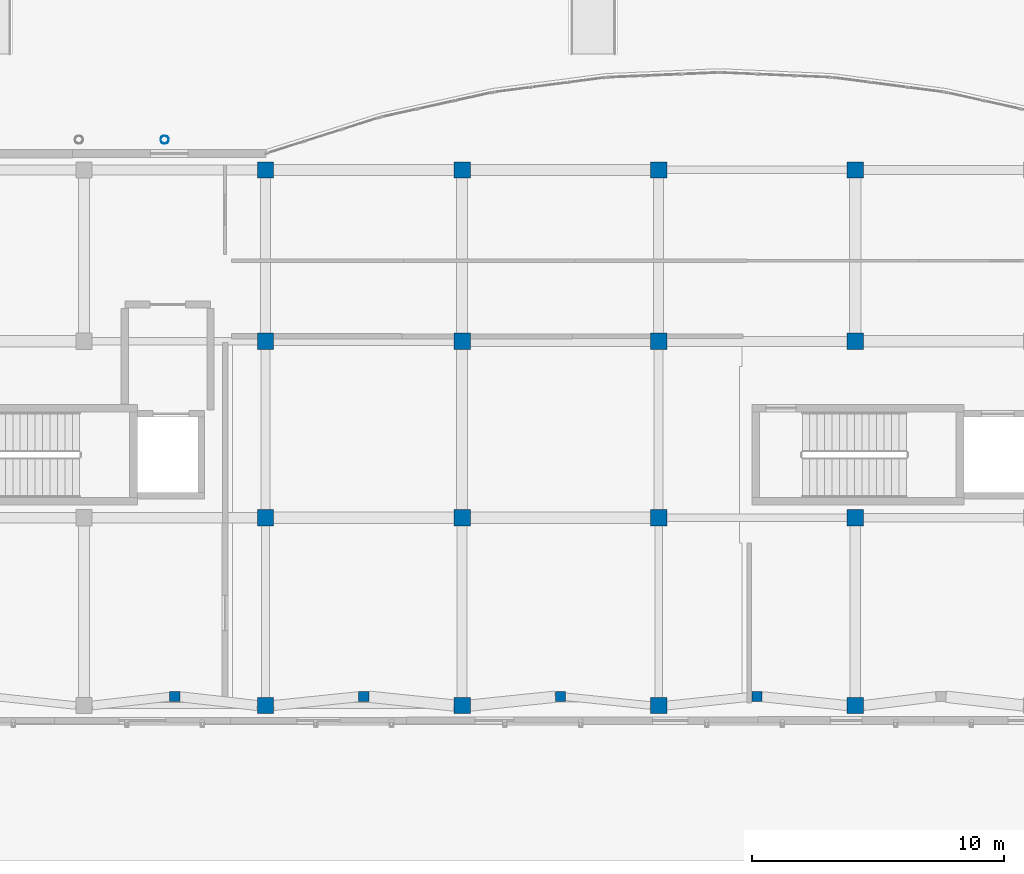
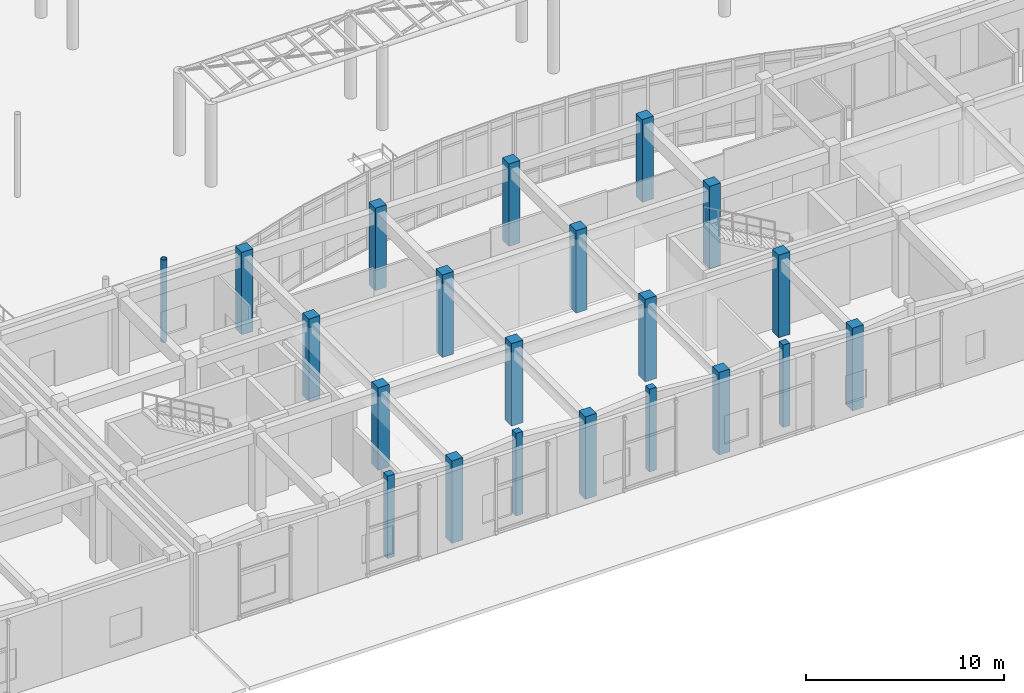
# One storey, part 7 of 121: 21 columns.
"""IFC4 building model written with IfcOpenShell, lengths in metres."""

from ifc_helpers import new_model, si_unit, direction, frame, origin, origin_2d, place, context, subcontext, project, spatial, rectangle, hollow_circle, extrude, material, material_profile, profile_set, type_object, element, save


model = new_model("IFC4")

# Units and contexts
model_context = context("Model", 3, precision=1e-05, world=origin(), true_north=direction((0.0, 1.0)))
body_context = subcontext(model_context, "Body", "Model", "MODEL_VIEW")
ifc_project = project(units=[si_unit("LENGTHUNIT", "METRE"), si_unit("AREAUNIT", "SQUARE_METRE"), si_unit("VOLUMEUNIT", "CUBIC_METRE"), si_unit("PLANEANGLEUNIT", "RADIAN"), si_unit("MASSUNIT", "GRAM", prefix="KILO")], contexts=[model_context])

# Site, building, storey
site_placement = place(None, origin())
site = spatial("IfcSite", under=ifc_project, at=site_placement, CompositionType="ELEMENT")
building_placement = place(site_placement, origin())
building = spatial("IfcBuilding", under=site, at=building_placement, Name="Valcora Specialist Clinic", CompositionType="ELEMENT")
storey_placement = place(building_placement, origin())
storey = spatial("IfcBuildingStorey", under=building, at=storey_placement, Name="L00", CompositionType="ELEMENT", Elevation=0.0)

# Columns
ifc_material_1 = material(Name="Steel ASTM A500 Grade C", Category="steel")
ifc_material_profile_1 = material_profile(ifc_material_1, hollow_circle(Radius=0.162109375, WallThickness=0.011962890625, at=origin_2d()), Name="ST-CHS-324X12")
ifc_profile_set_1 = profile_set([ifc_material_profile_1], Name="Steel ASTM A500 Grade C")
column_type_1 = type_object("IfcColumnType", Name="TY-COL-CHS324", PredefinedType="COLUMN", material=ifc_profile_set_1)
column_placement = place(storey_placement, frame((65.0, 23.199951171875, 0.0), z_axis=(0.0, 0.0, 1.0), x_axis=(1.0, 0.0, 0.0)))
element("IfcColumn", 1, at=column_placement, inside=storey, type_object=column_type_1, Name="Column COL-L00-0984", PredefinedType="COLUMN", context=body_context, shape_type="SweptSolid", body=[
    extrude(hollow_circle(Radius=0.162109375, WallThickness=0.011962890625, at=origin_2d()), origin(), (0.0, 0.0, 1.0), 5.10009765625),
])
ifc_material_2 = material(Name="Concrete C40/50", Category="concrete")
ifc_material_profile_2 = material_profile(ifc_material_2, rectangle(XDim=0.64990234375, YDim=0.64990234375, at=origin_2d()), Name="RC-COL-650X650")
ifc_profile_set_2 = profile_set([ifc_material_profile_2], Name="Concrete C40/50")
column_type_2 = type_object("IfcColumnType", Name="TY-COL-RC650", PredefinedType="COLUMN", material=ifc_profile_set_2)
for number, where, z_axis, x_axis, name in (
    (2, (69.0, 0.75, 0.0), (0.0, 0.0, 1.0), (1.0, 0.0, 0.0), "Column COL-L00-0785"),
    (3, (69.0, 8.199951171875, 0.0), (0.0, 0.0, 1.0), (1.0, 0.0, 0.0), "Column COL-L00-0790"),
    (4, (69.0, 15.199951171875, 0.0), (0.0, 0.0, 1.0), (1.0, 0.0, 0.0), "Column COL-L00-0796"),
    (5, (69.0, 22.0, 0.0), (0.0, 0.0, 1.0), (1.0, 0.0, 0.0), "Column COL-L00-0802"),
    (6, (76.800048828125, 0.75, 0.0), (0.0, 0.0, 1.0), (1.0, 0.0, 0.0), "Column COL-L00-0808"),
    (7, (76.800048828125, 8.199951171875, 0.0), (0.0, 0.0, 1.0), (1.0, 0.0, 0.0), "Column COL-L00-0813"),
    (8, (76.800048828125, 15.199951171875, 0.0), (0.0, 0.0, 1.0), (1.0, 0.0, 0.0), "Column COL-L00-0819"),
    (9, (76.800048828125, 22.0, 0.0), (0.0, 0.0, 1.0), (1.0, 0.0, 0.0), "Column COL-L00-0825"),
    (10, (84.60009765625, 0.75, 0.0), (0.0, 0.0, 1.0), (1.0, 0.0, 0.0), "Column COL-L00-0831"),
    (11, (84.60009765625, 8.199951171875, 0.0), (0.0, 0.0, 1.0), (1.0, 0.0, 0.0), "Column COL-L00-0836"),
    (12, (84.60009765625, 15.199951171875, 0.0), (0.0, 0.0, 1.0), (1.0, 0.0, 0.0), "Column COL-L00-0842"),
    (13, (84.60009765625, 22.0, 0.0), (0.0, 0.0, 1.0), (1.0, 0.0, 0.0), "Column COL-L00-0848"),
    (14, (92.39990234375, 0.75, 0.0), (0.0, 0.0, 1.0), (1.0, 0.0, 0.0), "Column COL-L00-0854"),
    (15, (92.39990234375, 8.199951171875, 0.0), (0.0, 0.0, 1.0), (1.0, 0.0, 0.0), "Column COL-L00-0859"),
    (16, (92.39990234375, 15.199951171875, 0.0), (0.0, 0.0, 1.0), (1.0, 0.0, 0.0), "Column COL-L00-0865"),
    (17, (92.39990234375, 22.0, 0.0), (0.0, 0.0, 1.0), (1.0, 0.0, 0.0), "Column COL-L00-0871"),
):
    element("IfcColumn", number, at=place(storey_placement, frame(where, z_axis=z_axis, x_axis=x_axis)), inside=storey, type_object=column_type_2, Name=name, PredefinedType="COLUMN", context=body_context, shape_type="SweptSolid", body=[
        extrude(rectangle(XDim=0.64990234375, YDim=0.64990234375, at=origin_2d()), origin(), (0.0, 0.0, 1.0), 5.10009765625),
    ])
ifc_material_profile_3 = material_profile(ifc_material_2, rectangle(XDim=0.39990234375, YDim=0.39990234375, at=origin_2d()), Name="RC-COL-400X400")
ifc_profile_set_3 = profile_set([ifc_material_profile_3], Name="Concrete C40/50")
column_type_3 = type_object("IfcColumnType", Name="TY-PIL-RC400", PredefinedType="PILASTER", material=ifc_profile_set_3)
for number, where, z_axis, x_axis, name in (
    (18, (65.39990234375, 1.10009765625, 0.0), (0.0, 0.0, 1.0), (1.0, 0.0, 0.0), "Column COL-L00-1059"),
    (19, (72.89990234375, 1.10009765625, 0.0), (0.0, 0.0, 1.0), (1.0, 0.0, 0.0), "Column COL-L00-1063"),
    (20, (80.699951171875, 1.10009765625, 0.0), (0.0, 0.0, 1.0), (1.0, 0.0, 0.0), "Column COL-L00-1067"),
    (21, (88.5, 1.10009765625, 0.0), (0.0, 0.0, 1.0), (1.0, 0.0, 0.0), "Column COL-L00-1071"),
):
    element("IfcColumn", number, at=place(storey_placement, frame(where, z_axis=z_axis, x_axis=x_axis)), inside=storey, type_object=column_type_3, Name=name, PredefinedType="PILASTER", context=body_context, shape_type="SweptSolid", body=[
        extrude(rectangle(XDim=0.39990234375, YDim=0.39990234375, at=origin_2d()), origin(), (0.0, 0.0, 1.0), 5.10009765625),
    ])

save(model, "model.ifc")
